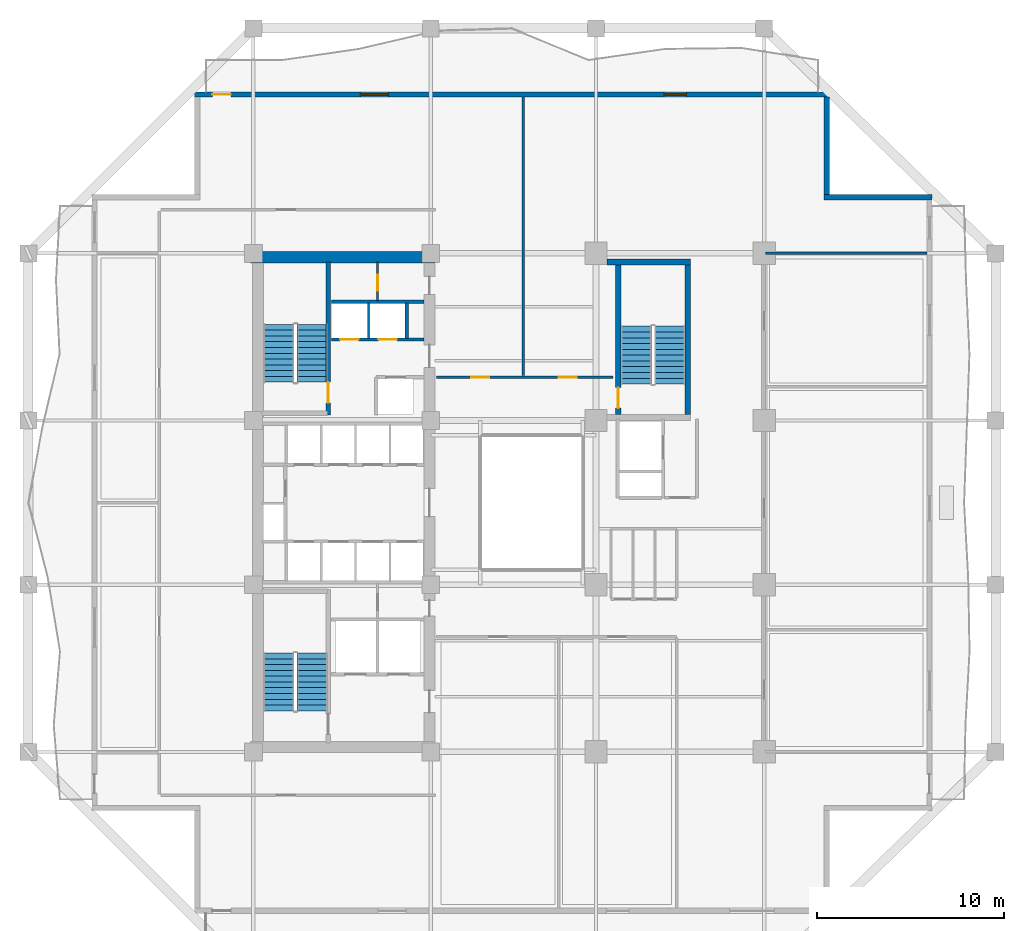
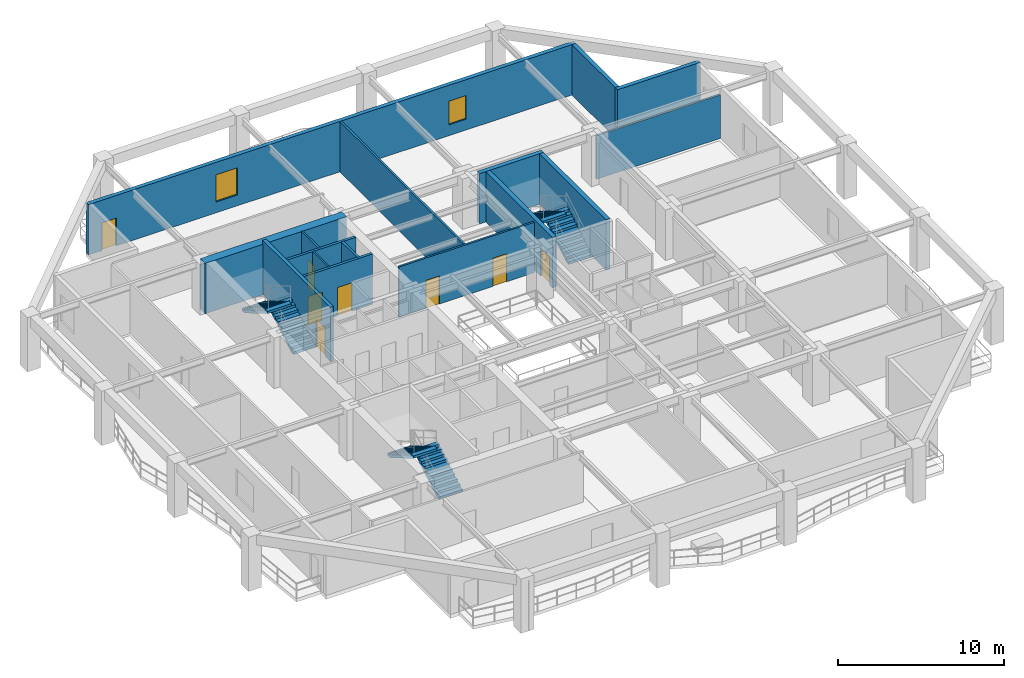
# One storey, part 5 of 12: 16 walls, 8 doors, 6 stair flights, 2 windows, 10 openings, 3 elements without a shape of their own.
"""IFC4 building model written with IfcOpenShell, lengths in metres."""

from ifc_helpers import new_model, si_unit, direction, frame, frame_2d, origin, place, context, subcontext, project, spatial, polyline, rectangle, outline, extrude, material, layer, layer_set, type_object, element, fill, aggregate, save


model = new_model("IFC4")

# Units and contexts
model_context = context("Model", 3, precision=1e-05, world=origin(), true_north=direction((0.0, 1.0)))
body_context = subcontext(model_context, "Body", "Model", "MODEL_VIEW")
ifc_project = project(units=[si_unit("LENGTHUNIT", "METRE"), si_unit("AREAUNIT", "SQUARE_METRE"), si_unit("VOLUMEUNIT", "CUBIC_METRE"), si_unit("PLANEANGLEUNIT", "RADIAN"), si_unit("MASSUNIT", "GRAM", prefix="KILO")], contexts=[model_context])

# Site, building, storey
site_placement = place(None, origin())
site = spatial("IfcSite", under=ifc_project, at=site_placement, CompositionType="ELEMENT")
building_placement = place(site_placement, origin())
building = spatial("IfcBuilding", under=site, at=building_placement, Name="Kundavana Baori Tower", CompositionType="ELEMENT")
storey_placement = place(building_placement, frame((0.0, 0.0, 46.0)))
storey = spatial("IfcBuildingStorey", under=building, at=storey_placement, Name="L10", CompositionType="ELEMENT", Elevation=46.0)

# Wall, opening, door
ifc_material_1 = material(Name="Concrete C50/60", Category="concrete")
ifc_layer_1 = layer(ifc_material_1, 0.39990234375, Name="WL-CORE-400")
ifc_layer_set_1 = layer_set([ifc_layer_1], Name="Concrete C50/60")
wall_type_1 = type_object("IfcWallType", Name="WL-CORE-400", PredefinedType="SHEAR", material=ifc_layer_set_1)
wall_1_placement = place(storey_placement, frame((19.4599609375, 33.300048828125, 0.0), z_axis=(0.0, 0.0, 1.0), x_axis=(0.0, 1.0, 0.0)))
wall_1 = element("IfcWall", 1, at=wall_1_placement, inside=storey, type_object=wall_type_1, Name="WL-L10-ST2-E", PredefinedType="SHEAR", context=body_context, shape_type="SweptSolid", body=[
    extrude(rectangle(XDim=8.179931640625, YDim=0.239990234375, at=frame_2d((4.08984375, 0.0))), origin(), (0.0, 0.0, 1.0), 4.0),
])
opening_1_placement = place(wall_1_placement, frame((0.64990234375, 0.0, 0.0)))
opening_1 = element("IfcOpeningElement", 2, at=opening_1_placement, cuts=wall_1, Name="Opening FD-110", PredefinedType="OPENING", context=body_context, shape_type="SweptSolid", body=[
    extrude(rectangle(XDim=1.10009765625, YDim=2.10009765625, at=frame_2d((0.550048828125, 1.050048828125))), frame((0.0, 0.1298828125, 0.0), z_axis=(0.0, -1.0, 0.0), x_axis=(1.0, 0.0, 0.0)), (0.0, 0.0, 1.0), 0.260009765625),
])
ifc_material_2 = material(Name="Galvanised Steel Fire-Rated Door Leaf", Category="steel")
door_type_1 = type_object("IfcDoorType", Name="DR-FD120-1100", OperationType="NOTDEFINED", PredefinedType="DOOR", material=ifc_material_2)
door_1_placement = place(opening_1_placement, origin())
door_1 = element("IfcDoor", 3, at=door_1_placement, inside=storey, type_object=door_type_1, Name="DR-L10-ST2", OperationType="SINGLE_SWING_RIGHT", OverallHeight=2.10009765625, OverallWidth=1.10009765625, PredefinedType="DOOR", context=body_context, shape_type="SweptSolid", body=[
    extrude(rectangle(XDim=1.10009765625, YDim=2.10009765625, at=frame_2d((0.550048828125, 1.050048828125))), frame((0.0, 0.02490234375, 0.0), z_axis=(0.0, -1.0, 0.0), x_axis=(1.0, 0.0, 0.0)), (0.0, 0.0, 1.0), 0.050048828125),
])
fill(opening_1, door_1)

# Walls
ifc_material_3 = material(Name="Concrete C60/75", Category="concrete")
ifc_layer_2 = layer(ifc_material_3, 0.60009765625, Name="WL-CORE-600")
ifc_layer_set_2 = layer_set([ifc_layer_2], Name="Concrete C60/75")
wall_type_2 = type_object("IfcWallType", Name="WL-CORE-600", PredefinedType="SHEAR", material=ifc_layer_set_2)
wall_2_placement = place(storey_placement, frame((15.300048828125, 41.739990234375, 0.0), z_axis=(0.0, 0.0, 1.0), x_axis=(1.0, 0.0, 0.0)))
element("IfcWall", 4, at=wall_2_placement, inside=storey, type_object=wall_type_2, Name="L10 Offset Core North Shear Wall", PredefinedType="SHEAR", context=body_context, shape_type="SweptSolid", body=[
    extrude(rectangle(XDim=9.8798828125, YDim=0.60009765625, at=frame_2d((4.93994140625, 0.0))), origin(), (0.0, 0.0, 1.0), 3.719970703125),
])
ifc_material_4 = material(Name="Red-Buff Dholpur Sandstone Cladding on Concrete C40/50", Category="masonry")
ifc_layer_3 = layer(ifc_material_4, 0.280029296875, Name="WL-EXT-SAND-280")
ifc_layer_set_3 = layer_set([ifc_layer_3], Name="Red-Buff Dholpur Sandstone Cladding on Concrete C40/50")
wall_type_3 = type_object("IfcWallType", Name="WL-EXT-SAND-280", PredefinedType="STANDARD", material=ifc_layer_set_3)
wall_3_placement = place(storey_placement, frame((51.800048828125, 44.9599609375, 0.0), z_axis=(0.0, 0.0, 1.0), x_axis=(-1.0, 0.0, 0.0)))
element("IfcWall", 5, at=wall_3_placement, inside=storey, type_object=wall_type_3, Name="L10 Exterior Insulated Facade Wall 05", PredefinedType="STANDARD", context=body_context, shape_type="SweptSolid", body=[
    extrude(rectangle(XDim=5.780029296875, YDim=0.280029296875, at=frame_2d((2.89013671875, 0.0))), origin(), (0.0, 0.0, 1.0), 3.719970703125),
])
wall_4_placement = place(storey_placement, frame((46.159912109375, 45.10009765625, 0.0), z_axis=(0.0, 0.0, 1.0), x_axis=(0.0, 1.0, 0.0)))
element("IfcWall", 6, at=wall_4_placement, inside=storey, type_object=wall_type_3, Name="L10 Exterior Insulated Facade Wall 06", PredefinedType="STANDARD", context=body_context, shape_type="SweptSolid", body=[
    extrude(rectangle(XDim=5.219970703125, YDim=0.280029296875, at=frame_2d((2.60986328125, 0.0))), origin(), (0.0, 0.0, 1.0), 3.719970703125),
])

# Wall, openings, door, windows
wall_5_placement = place(storey_placement, frame((46.300048828125, 50.4599609375, 0.0), z_axis=(0.0, 0.0, 1.0), x_axis=(-1.0, 0.0, 0.0)))
wall_5 = element("IfcWall", 7, at=wall_5_placement, inside=storey, type_object=wall_type_3, Name="L10 Exterior Insulated Facade Wall 07", PredefinedType="STANDARD", context=body_context, shape_type="SweptSolid", body=[
    extrude(rectangle(XDim=34.0, YDim=0.280029296875, at=frame_2d((17.0, 0.0))), origin(), (0.0, 0.0, 1.0), 3.719970703125),
])
opening_2_placement = place(wall_5_placement, frame((32.050048828125, 0.0, 0.0)))
opening_2 = element("IfcOpeningElement", 8, at=opening_2_placement, cuts=wall_5, Name="Opening BD-1", PredefinedType="OPENING", context=body_context, shape_type="SweptSolid", body=[
    extrude(rectangle(XDim=1.0, YDim=2.050048828125, at=frame_2d((0.5, 1.02490234375))), frame((0.0, 0.14990234375, 0.0), z_axis=(0.0, -1.0, 0.0), x_axis=(1.0, 0.0, 0.0)), (0.0, 0.0, 1.0), 0.300048828125),
])
opening_3_placement = place(wall_5_placement, frame((23.6201171875, 0.0, 0.800048828125)))
opening_3 = element("IfcOpeningElement", 9, at=opening_3_placement, cuts=wall_5, Name="Opening W-02", PredefinedType="OPENING", context=body_context, shape_type="SweptSolid", body=[
    extrude(rectangle(XDim=1.5, YDim=2.0, at=frame_2d((0.75, 1.0))), frame((0.0, 0.14990234375, 0.0), z_axis=(0.0, -1.0, 0.0), x_axis=(1.0, 0.0, 0.0)), (0.0, 0.0, 1.0), 0.300048828125),
])
opening_4_placement = place(wall_5_placement, frame((7.655029296875, 0.0, 0.800048828125)))
opening_4 = element("IfcOpeningElement", 10, at=opening_4_placement, cuts=wall_5, Name="Opening W-03", PredefinedType="OPENING", context=body_context, shape_type="SweptSolid", body=[
    extrude(rectangle(XDim=1.199951171875, YDim=1.75, at=frame_2d((0.60009765625, 0.875))), frame((0.0, 0.14990234375, 0.0), z_axis=(0.0, -1.0, 0.0), x_axis=(1.0, 0.0, 0.0)), (0.0, 0.0, 1.0), 0.300048828125),
])
ifc_material_5 = material(Name="Architectural Patinated Bronze Metalwork")
door_type_2 = type_object("IfcDoorType", Name="DR-EXT-LOG-1000", OperationType="NOTDEFINED", PredefinedType="DOOR", material=ifc_material_5)
door_2_placement = place(opening_2_placement, frame((1.0, 0.0, 0.0), z_axis=(0.0, 0.0, 1.0), x_axis=(-1.0, 0.0, 0.0)))
door_2 = element("IfcDoor", 11, at=door_2_placement, inside=storey, type_object=door_type_2, Name="L10 Loggia Balcony Access Door N", OperationType="SINGLE_SWING_LEFT", OverallHeight=2.050048828125, OverallWidth=1.0, PredefinedType="DOOR", context=body_context, shape_type="SweptSolid", body=[
    extrude(rectangle(XDim=1.0, YDim=2.050048828125, at=frame_2d((0.5, 1.02490234375))), frame((0.0, 0.02490234375, 0.0), z_axis=(0.0, -1.0, 0.0), x_axis=(1.0, 0.0, 0.0)), (0.0, 0.0, 1.0), 0.050048828125),
])
fill(opening_2, door_2)
ifc_material_6 = material(Name="Double-Glazed Solar-Control Low-E Insulated Glass", Category="glass")
window_type_1 = type_object("IfcWindowType", Name="WIN-LOG-1200x1750", PartitioningType="SINGLE_PANEL", PredefinedType="WINDOW", material=ifc_material_6)
window_1_placement = place(opening_4_placement, origin())
window_1 = element("IfcWindow", 12, at=window_1_placement, inside=storey, type_object=window_type_1, Name="L10 Recessed Loggia Window N-2", OverallHeight=1.75, OverallWidth=1.199951171875, PartitioningType="SINGLE_PANEL", PredefinedType="WINDOW", context=body_context, shape_type="SweptSolid", body=[
    extrude(rectangle(XDim=1.199951171875, YDim=1.75, at=frame_2d((0.60009765625, 0.875))), frame((0.0, 0.030029296875, 0.0), z_axis=(0.0, -1.0, 0.0), x_axis=(1.0, 0.0, 0.0)), (0.0, 0.0, 1.0), 0.06005859375),
])
fill(opening_4, window_1)
ifc_material_7 = material(Name="Double-Glazed Solar-Control Low-E Insulated Glass", Category="glass")
window_type_2 = type_object("IfcWindowType", Name="WIN-LOG-1500x2000", PartitioningType="SINGLE_PANEL", PredefinedType="WINDOW", material=ifc_material_7)
window_2_placement = place(opening_3_placement, origin())
window_2 = element("IfcWindow", 13, at=window_2_placement, inside=storey, type_object=window_type_2, Name="L10 Recessed Loggia Window N-1", OverallHeight=2.0, OverallWidth=1.5, PartitioningType="SINGLE_PANEL", PredefinedType="WINDOW", context=body_context, shape_type="SweptSolid", body=[
    extrude(rectangle(XDim=1.5, YDim=2.0, at=frame_2d((0.75, 1.0))), frame((0.0, 0.030029296875, 0.0), z_axis=(0.0, -1.0, 0.0), x_axis=(1.0, 0.0, 0.0)), (0.0, 0.0, 1.0), 0.06005859375),
])
fill(opening_3, window_2)

# Wall
ifc_material_8 = material(Name="Acoustic Gypsum Plasterboard on Galvanised Steel Studs", Category="steel")
ifc_layer_4 = layer(ifc_material_8, 0.1201171875, Name="WL-PART-120")
ifc_layer_set_4 = layer_set([ifc_layer_4], Name="Acoustic Gypsum Plasterboard on Galvanised Steel Studs")
wall_type_4 = type_object("IfcWallType", Name="WL-PART-120", PredefinedType="PARTITIONING", material=ifc_layer_set_4)
wall_6_placement = place(storey_placement, frame((21.6201171875, 37.39990234375, 0.0), z_axis=(0.0, 0.0, 1.0), x_axis=(0.0, 1.0, 0.0)))
element("IfcWall", 14, at=wall_6_placement, inside=storey, type_object=wall_type_4, Name="WL-L10-HR-DIV1", PredefinedType="PARTITIONING", context=body_context, shape_type="SweptSolid", body=[
    extrude(rectangle(XDim=1.900146484375, YDim=0.1201171875, at=frame_2d((0.9501953125, 0.0))), origin(), (0.0, 0.0, 1.0), 3.719970703125),
])

# Wall, opening, door
wall_7_placement = place(storey_placement, frame((22.10009765625, 39.39990234375, 0.0), z_axis=(0.0, 0.0, 1.0), x_axis=(0.0, 1.0, 0.0)))
wall_7 = element("IfcWall", 15, at=wall_7_placement, inside=storey, type_object=wall_type_4, Name="WL-L10-CSRV-D1", PredefinedType="PARTITIONING", context=body_context, shape_type="SweptSolid", body=[
    extrude(rectangle(XDim=2.080078125, YDim=0.1201171875, at=frame_2d((1.0400390625, 0.0))), origin(), (0.0, 0.0, 1.0), 3.719970703125),
])
opening_5_placement = place(wall_7_placement, frame((0.550048828125, 0.0, 0.0)))
opening_5 = element("IfcOpeningElement", 16, at=opening_5_placement, cuts=wall_7, Name="Opening FD-085", PredefinedType="OPENING", context=body_context, shape_type="SweptSolid", body=[
    extrude(rectangle(XDim=0.85009765625, YDim=2.06005859375, at=frame_2d((0.425048828125, 1.030029296875))), frame((0.0, 0.070068359375, 0.0), z_axis=(0.0, -1.0, 0.0), x_axis=(1.0, 0.0, 0.0)), (0.0, 0.0, 1.0), 0.14013671875),
])
ifc_material_9 = material(Name="Galvanised Steel Fire-Rated Door Leaf", Category="steel")
door_type_3 = type_object("IfcDoorType", Name="DR-FD60-850", OperationType="NOTDEFINED", PredefinedType="DOOR", material=ifc_material_9)
door_3_placement = place(opening_5_placement, origin())
door_3 = element("IfcDoor", 17, at=door_3_placement, inside=storey, type_object=door_type_3, Name="DR-L10-CSRV1", OperationType="SINGLE_SWING_LEFT", OverallHeight=2.06005859375, OverallWidth=0.85009765625, PredefinedType="DOOR", context=body_context, shape_type="SweptSolid", body=[
    extrude(rectangle(XDim=0.85009765625, YDim=2.06005859375, at=frame_2d((0.425048828125, 1.030029296875))), frame((0.0, 0.02490234375, 0.0), z_axis=(0.0, -1.0, 0.0), x_axis=(1.0, 0.0, 0.0)), (0.0, 0.0, 1.0), 0.050048828125),
])
fill(opening_5, door_3)

# Wall, openings, doors
ifc_material_10 = material(Name="Acoustic Gypsum Plasterboard on Galvanised Steel Studs", Category="steel")
ifc_layer_5 = layer(ifc_material_10, 0.135009765625, Name="WL-PART-135")
ifc_layer_set_5 = layer_set([ifc_layer_5], Name="Acoustic Gypsum Plasterboard on Galvanised Steel Studs")
wall_type_5 = type_object("IfcWallType", Name="WL-PART-135", PredefinedType="PARTITIONING", material=ifc_layer_set_5)
wall_8_placement = place(storey_placement, frame((25.25, 35.320068359375, 0.0), z_axis=(0.0, 0.0, 1.0), x_axis=(1.0, 0.0, 0.0)))
wall_8 = element("IfcWall", 18, at=wall_8_placement, inside=storey, type_object=wall_type_5, Name="WL-L10-OFN", PredefinedType="PARTITIONING", context=body_context, shape_type="SweptSolid", body=[
    extrude(rectangle(XDim=9.469970703125, YDim=0.135009765625, at=frame_2d((4.73486328125, 0.0))), origin(), (0.0, 0.0, 1.0), 3.719970703125),
])
opening_6_placement = place(wall_8_placement, frame((1.875, 0.0, 0.0)))
opening_6 = element("IfcOpeningElement", 19, at=opening_6_placement, cuts=wall_8, Name="Opening ID-095", PredefinedType="OPENING", context=body_context, shape_type="SweptSolid", body=[
    extrude(rectangle(XDim=0.949951171875, YDim=2.080078125, at=frame_2d((0.47509765625, 1.0400390625))), frame((0.0, 0.07763671875, 0.0), z_axis=(0.0, -1.0, 0.0), x_axis=(1.0, 0.0, 0.0)), (0.0, 0.0, 1.0), 0.155029296875),
])
opening_7_placement = place(wall_8_placement, frame((6.56494140625, 0.0, 0.0)))
opening_7 = element("IfcOpeningElement", 20, at=opening_7_placement, cuts=wall_8, Name="Opening ID-095", PredefinedType="OPENING", context=body_context, shape_type="SweptSolid", body=[
    extrude(rectangle(XDim=0.949951171875, YDim=2.080078125, at=frame_2d((0.47509765625, 1.0400390625))), frame((0.0, 0.07763671875, 0.0), z_axis=(0.0, -1.0, 0.0), x_axis=(1.0, 0.0, 0.0)), (0.0, 0.0, 1.0), 0.155029296875),
])
ifc_material_11 = material(Name="Engineered Teak Solid-Core Timber Veneer", Category="wood")
door_type_4 = type_object("IfcDoorType", Name="DR-INT-950", OperationType="NOTDEFINED", PredefinedType="DOOR", material=ifc_material_11)
door_4_placement = place(opening_6_placement, origin())
door_4 = element("IfcDoor", 21, at=door_4_placement, inside=storey, type_object=door_type_4, Name="DR-L10-OFN1", OperationType="SINGLE_SWING_LEFT", OverallHeight=2.080078125, OverallWidth=0.949951171875, PredefinedType="DOOR", context=body_context, shape_type="SweptSolid", body=[
    extrude(rectangle(XDim=0.949951171875, YDim=2.080078125, at=frame_2d((0.47509765625, 1.0400390625))), frame((0.0, 0.02490234375, 0.0), z_axis=(0.0, -1.0, 0.0), x_axis=(1.0, 0.0, 0.0)), (0.0, 0.0, 1.0), 0.050048828125),
])
fill(opening_6, door_4)
door_5_placement = place(opening_7_placement, origin())
door_5 = element("IfcDoor", 22, at=door_5_placement, inside=storey, type_object=door_type_4, Name="DR-L10-OFN2", OperationType="SINGLE_SWING_LEFT", OverallHeight=2.080078125, OverallWidth=0.949951171875, PredefinedType="DOOR", context=body_context, shape_type="SweptSolid", body=[
    extrude(rectangle(XDim=0.949951171875, YDim=2.080078125, at=frame_2d((0.47509765625, 1.0400390625))), frame((0.0, 0.02490234375, 0.0), z_axis=(0.0, -1.0, 0.0), x_axis=(1.0, 0.0, 0.0)), (0.0, 0.0, 1.0), 0.050048828125),
])
fill(opening_7, door_5)

# Walls
wall_9_placement = place(storey_placement, frame((42.8798828125, 41.949951171875, 0.0), z_axis=(0.0, 0.0, 1.0), x_axis=(1.0, 0.0, 0.0)))
element("IfcWall", 23, at=wall_9_placement, inside=storey, type_object=wall_type_5, Name="WL-L10-OFEN", PredefinedType="PARTITIONING", context=body_context, shape_type="SweptSolid", body=[
    extrude(rectangle(XDim=8.64013671875, YDim=0.135009765625, at=frame_2d((4.320068359375, 0.0))), origin(), (0.0, 0.0, 1.0), 3.219970703125),
])
wall_10_placement = place(storey_placement, frame((29.89990234375, 35.39990234375, 0.0), z_axis=(0.0, 0.0, 1.0), x_axis=(0.0, 1.0, 0.0)))
element("IfcWall", 24, at=wall_10_placement, inside=storey, type_object=wall_type_5, Name="WL-L10-ND1", PredefinedType="PARTITIONING", context=body_context, shape_type="SweptSolid", body=[
    extrude(rectangle(XDim=14.920166015625, YDim=0.135009765625, at=frame_2d((7.4599609375, 0.0))), origin(), (0.0, 0.0, 1.0), 3.719970703125),
])

# Wall, openings, doors
ifc_material_12 = material(Name="Autoclaved Aerated Concrete Blockwork Masonry", Category="masonry")
ifc_layer_6 = layer(ifc_material_12, 0.179931640625, Name="WL-SHAFT-180")
ifc_layer_set_6 = layer_set([ifc_layer_6], Name="Autoclaved Aerated Concrete Blockwork Masonry")
wall_type_6 = type_object("IfcWallType", Name="WL-SHAFT-180", PredefinedType="SOLIDWALL", material=ifc_layer_set_6)
wall_11_placement = place(storey_placement, frame((19.639892578125, 37.340087890625, 0.0), z_axis=(0.0, 0.0, 1.0), x_axis=(1.0, 0.0, 0.0)))
wall_11 = element("IfcWall", 25, at=wall_11_placement, inside=storey, type_object=wall_type_6, Name="WL-L10-HRLOB-N", PredefinedType="SOLIDWALL", context=body_context, shape_type="SweptSolid", body=[
    extrude(rectangle(XDim=4.940185546875, YDim=0.179931640625, at=frame_2d((2.47021484375, 0.0))), origin(), (0.0, 0.0, 1.0), 3.719970703125),
])
opening_8_placement = place(wall_11_placement, frame((0.449951171875, 0.0, 0.0)))
opening_8 = element("IfcOpeningElement", 26, at=opening_8_placement, cuts=wall_11, Name="Opening LD-100", PredefinedType="OPENING", context=body_context, shape_type="SweptSolid", body=[
    extrude(rectangle(XDim=1.0, YDim=2.10009765625, at=frame_2d((0.5, 1.050048828125))), frame((0.0, 0.10009765625, 0.0), z_axis=(0.0, -1.0, 0.0), x_axis=(1.0, 0.0, 0.0)), (0.0, 0.0, 1.0), 0.199951171875),
])
opening_9_placement = place(wall_11_placement, frame((2.5, 0.0, 0.0)))
opening_9 = element("IfcOpeningElement", 27, at=opening_9_placement, cuts=wall_11, Name="Opening LD-100", PredefinedType="OPENING", context=body_context, shape_type="SweptSolid", body=[
    extrude(rectangle(XDim=1.0, YDim=2.10009765625, at=frame_2d((0.5, 1.050048828125))), frame((0.0, 0.10009765625, 0.0), z_axis=(0.0, -1.0, 0.0), x_axis=(1.0, 0.0, 0.0)), (0.0, 0.0, 1.0), 0.199951171875),
])
ifc_material_13 = material(Name="Galvanised Steel Fire-Rated Door Leaf", Category="steel")
door_type_5 = type_object("IfcDoorType", Name="DR-SLIDE-LD1000", OperationType="NOTDEFINED", PredefinedType="DOOR", material=ifc_material_13)
door_6_placement = place(opening_8_placement, frame((1.0, 0.0, 0.0), z_axis=(0.0, 0.0, 1.0), x_axis=(-1.0, 0.0, 0.0)))
door_6 = element("IfcDoor", 28, at=door_6_placement, inside=storey, type_object=door_type_5, Name="DR-L10-LD-LP09", OperationType="DOUBLE_DOOR_SLIDING", OverallHeight=2.10009765625, OverallWidth=1.0, PredefinedType="DOOR", context=body_context, shape_type="SweptSolid", body=[
    extrude(rectangle(XDim=1.0, YDim=2.10009765625, at=frame_2d((0.5, 1.050048828125))), frame((0.0, 0.02490234375, 0.0), z_axis=(0.0, -1.0, 0.0), x_axis=(1.0, 0.0, 0.0)), (0.0, 0.0, 1.0), 0.050048828125),
])
fill(opening_8, door_6)
door_7_placement = place(opening_9_placement, frame((1.0, 0.0, 0.0), z_axis=(0.0, 0.0, 1.0), x_axis=(-1.0, 0.0, 0.0)))
door_7 = element("IfcDoor", 29, at=door_7_placement, inside=storey, type_object=door_type_5, Name="DR-L10-LD-LP10", OperationType="DOUBLE_DOOR_SLIDING", OverallHeight=2.10009765625, OverallWidth=1.0, PredefinedType="DOOR", context=body_context, shape_type="SweptSolid", body=[
    extrude(rectangle(XDim=1.0, YDim=2.10009765625, at=frame_2d((0.5, 1.050048828125))), frame((0.0, 0.02490234375, 0.0), z_axis=(0.0, -1.0, 0.0), x_axis=(1.0, 0.0, 0.0)), (0.0, 0.0, 1.0), 0.050048828125),
])
fill(opening_9, door_7)

# Walls
wall_12_placement = place(storey_placement, frame((19.639892578125, 39.360107421875, 0.0), z_axis=(0.0, 0.0, 1.0), x_axis=(1.0, 0.0, 0.0)))
element("IfcWall", 30, at=wall_12_placement, inside=storey, type_object=wall_type_6, Name="WL-L10-HRLOB-TOP", PredefinedType="SOLIDWALL", context=body_context, shape_type="SweptSolid", body=[
    extrude(rectangle(XDim=4.940185546875, YDim=0.179931640625, at=frame_2d((2.47021484375, 0.0))), origin(), (0.0, 0.0, 1.0), 3.719970703125),
])
wall_13_placement = place(storey_placement, frame((23.659912109375, 37.39990234375, 0.0), z_axis=(0.0, 0.0, 1.0), x_axis=(0.0, 1.0, 0.0)))
element("IfcWall", 31, at=wall_13_placement, inside=storey, type_object=wall_type_6, Name="WL-L10-HR-DIV2", PredefinedType="SOLIDWALL", context=body_context, shape_type="SweptSolid", body=[
    extrude(rectangle(XDim=1.900146484375, YDim=0.179931640625, at=frame_2d((0.9501953125, 0.0))), origin(), (0.0, 0.0, 1.0), 3.719970703125),
])
ifc_material_14 = material(Name="Concrete C50/60", Category="concrete")
ifc_layer_7 = layer(ifc_material_14, 0.300048828125, Name="WL-ST3-300")
ifc_layer_set_7 = layer_set([ifc_layer_7], Name="Concrete C50/60")
wall_type_7 = type_object("IfcWallType", Name="WL-ST3-300", PredefinedType="SHEAR", material=ifc_layer_set_7)
wall_14_placement = place(storey_placement, frame((34.39990234375, 41.489990234375, 0.0), z_axis=(0.0, 0.0, 1.0), x_axis=(1.0, 0.0, 0.0)))
element("IfcWall", 32, at=wall_14_placement, inside=storey, type_object=wall_type_7, Name="L10 Stair ST3 North Shear Wall", PredefinedType="SHEAR", context=body_context, shape_type="SweptSolid", body=[
    extrude(rectangle(XDim=4.47021484375, YDim=0.300048828125, at=frame_2d((2.235107421875, 0.0))), origin(), (0.0, 0.0, 1.0), 3.719970703125),
])

# Wall, opening, door
wall_15_placement = place(storey_placement, frame((34.97998046875, 33.31005859375, 0.0), z_axis=(0.0, 0.0, 1.0), x_axis=(0.0, 1.0, 0.0)))
wall_15 = element("IfcWall", 33, at=wall_15_placement, inside=storey, type_object=wall_type_7, Name="L10 Stair ST3 West Shear Wall", PredefinedType="SHEAR", context=body_context, shape_type="SweptSolid", body=[
    extrude(rectangle(XDim=8.030029296875, YDim=0.300048828125, at=frame_2d((4.01513671875, 0.0))), origin(), (0.0, 0.0, 1.0), 3.719970703125),
])
opening_10_placement = place(wall_15_placement, frame((0.35009765625, 0.0, 0.0)))
opening_10 = element("IfcOpeningElement", 34, at=opening_10_placement, cuts=wall_15, Name="Opening FD-110", PredefinedType="OPENING", context=body_context, shape_type="SweptSolid", body=[
    extrude(rectangle(XDim=1.10009765625, YDim=2.10009765625, at=frame_2d((0.550048828125, 1.050048828125))), frame((0.0, 0.16015625, 0.0), z_axis=(0.0, -1.0, 0.0), x_axis=(1.0, 0.0, 0.0)), (0.0, 0.0, 1.0), 0.320068359375),
])
door_8_placement = place(opening_10_placement, origin())
door_8 = element("IfcDoor", 35, at=door_8_placement, inside=storey, type_object=door_type_1, Name="DR-L10-ST3-W", OperationType="SINGLE_SWING_LEFT", OverallHeight=2.10009765625, OverallWidth=1.10009765625, PredefinedType="DOOR", context=body_context, shape_type="SweptSolid", body=[
    extrude(rectangle(XDim=1.10009765625, YDim=2.10009765625, at=frame_2d((0.550048828125, 1.050048828125))), frame((0.0, 0.02490234375, 0.0), z_axis=(0.0, -1.0, 0.0), x_axis=(1.0, 0.0, 0.0)), (0.0, 0.0, 1.0), 0.050048828125),
])
fill(opening_10, door_8)

# Wall
wall_16_placement = place(storey_placement, frame((38.719970703125, 33.31005859375, 0.0), z_axis=(0.0, 0.0, 1.0), x_axis=(0.0, 1.0, 0.0)))
element("IfcWall", 36, at=wall_16_placement, inside=storey, type_object=wall_type_7, Name="L10 Stair ST3 East Shear Wall", PredefinedType="SHEAR", context=body_context, shape_type="SweptSolid", body=[
    extrude(rectangle(XDim=8.030029296875, YDim=0.300048828125, at=frame_2d((4.01513671875, 0.0))), origin(), (0.0, 0.0, 1.0), 3.719970703125),
])

# Stair, stair flights
ifc_material_15 = material(Name="Concrete C40/50", Category="concrete")
stair_type = type_object("IfcStairType", Name="STR-DOG-1650", PredefinedType="HALF_TURN_STAIR", material=ifc_material_15)
stair_1_placement = place(storey_placement, origin())
stair_1 = element("IfcStair", 37, at=stair_1_placement, inside=storey, type_object=stair_type, Name="L10 Protected Exit Stair ST1", PredefinedType="HALF_TURN_STAIR")
ifc_material_16 = material(Name="Concrete C40/50", Category="concrete")
stair_flight_type = type_object("IfcStairFlightType", Name="SFL-RC-1650", PredefinedType="STRAIGHT", material=ifc_material_16)
stair_flight_1_placement = place(storey_placement, frame((18.614990234375, 17.449951171875, 0.0), z_axis=(0.0, 0.0, 1.0), x_axis=(0.0, 1.0, 0.0)))
stair_flight_1 = element("IfcStairFlight", 38, at=stair_flight_1_placement, type_object=stair_flight_type, Name="ST1 flight 1", NumberOfRisers=11, NumberOfTreads=10, PredefinedType="STRAIGHT", RiserHeight=0.181818182, TreadLength=0.31, context=body_context, shape_type="SweptSolid", body=[
    extrude(outline(polyline([(0.0, 0.0), (0.0, 0.181884765625), (0.31005859375, 0.181884765625), (0.31005859375, 0.363525390625), (0.6201171875, 0.363525390625), (0.6201171875, 0.54541015625), (0.929931640625, 0.54541015625), (0.929931640625, 0.727294921875), (1.239990234375, 0.727294921875), (1.239990234375, 0.9091796875), (1.550048828125, 0.9091796875), (1.550048828125, 1.0908203125), (1.860107421875, 1.0908203125), (1.860107421875, 1.272705078125), (2.169921875, 1.272705078125), (2.169921875, 1.45458984375), (2.47998046875, 1.45458984375), (2.47998046875, 1.636474609375), (2.7900390625, 1.636474609375), (2.7900390625, 1.818115234375), (3.10009765625, 1.818115234375), (3.10009765625, 2.0), (3.10009765625, 1.644287109375), (0.29638671875, 0.0), (0.0, 0.0)])), frame((0.0, 0.824951171875, 0.0), z_axis=(0.0, -1.0, 0.0), x_axis=(1.0, 0.0, 0.0)), (0.0, 0.0, 1.0), 1.64990234375),
])
stair_flight_2_placement = place(storey_placement, frame((16.804931640625, 20.550048828125, 2.0), z_axis=(0.0, 0.0, 1.0), x_axis=(0.0, -1.0, 0.0)))
stair_flight_2 = element("IfcStairFlight", 39, at=stair_flight_2_placement, type_object=stair_flight_type, Name="ST1 flight 2", NumberOfRisers=11, NumberOfTreads=10, PredefinedType="STRAIGHT", RiserHeight=0.181818182, TreadLength=0.31, context=body_context, shape_type="SweptSolid", body=[
    extrude(outline(polyline([(0.0, 0.0), (0.0, 0.181884765625), (0.31005859375, 0.181884765625), (0.31005859375, 0.363525390625), (0.6201171875, 0.363525390625), (0.6201171875, 0.54541015625), (0.929931640625, 0.54541015625), (0.929931640625, 0.727294921875), (1.239990234375, 0.727294921875), (1.239990234375, 0.9091796875), (1.550048828125, 0.9091796875), (1.550048828125, 1.0908203125), (1.860107421875, 1.0908203125), (1.860107421875, 1.272705078125), (2.169921875, 1.272705078125), (2.169921875, 1.45458984375), (2.47998046875, 1.45458984375), (2.47998046875, 1.636474609375), (2.7900390625, 1.636474609375), (2.7900390625, 1.818115234375), (3.10009765625, 1.818115234375), (3.10009765625, 2.0), (3.10009765625, 1.644287109375), (0.29638671875, 0.0), (0.0, 0.0)])), frame((0.0, 0.824951171875, 0.0), z_axis=(0.0, -1.0, 0.0), x_axis=(1.0, 0.0, 0.0)), (0.0, 0.0, 1.0), 1.64990234375),
])
aggregate(stair_1, [stair_flight_1, stair_flight_2])

stair_2_placement = place(storey_placement, origin())
stair_2 = element("IfcStair", 40, at=stair_2_placement, inside=storey, type_object=stair_type, Name="L10 Protected Exit Stair ST2", PredefinedType="HALF_TURN_STAIR")
stair_flight_3_placement = place(storey_placement, frame((18.614990234375, 35.050048828125, 0.0), z_axis=(0.0, 0.0, 1.0), x_axis=(0.0, 1.0, 0.0)))
stair_flight_3 = element("IfcStairFlight", 41, at=stair_flight_3_placement, type_object=stair_flight_type, Name="ST2 flight 1", NumberOfRisers=11, NumberOfTreads=10, PredefinedType="STRAIGHT", RiserHeight=0.181818182, TreadLength=0.31, context=body_context, shape_type="SweptSolid", body=[
    extrude(outline(polyline([(0.0, 0.0), (0.0, 0.181884765625), (0.31005859375, 0.181884765625), (0.31005859375, 0.363525390625), (0.6201171875, 0.363525390625), (0.6201171875, 0.54541015625), (0.929931640625, 0.54541015625), (0.929931640625, 0.727294921875), (1.239990234375, 0.727294921875), (1.239990234375, 0.9091796875), (1.550048828125, 0.9091796875), (1.550048828125, 1.0908203125), (1.860107421875, 1.0908203125), (1.860107421875, 1.272705078125), (2.169921875, 1.272705078125), (2.169921875, 1.45458984375), (2.47998046875, 1.45458984375), (2.47998046875, 1.636474609375), (2.7900390625, 1.636474609375), (2.7900390625, 1.818115234375), (3.10009765625, 1.818115234375), (3.10009765625, 2.0), (3.10009765625, 1.644287109375), (0.29638671875, 0.0), (0.0, 0.0)])), frame((0.0, 0.824951171875, 0.0), z_axis=(0.0, -1.0, 0.0), x_axis=(1.0, 0.0, 0.0)), (0.0, 0.0, 1.0), 1.64990234375),
])
stair_flight_4_placement = place(storey_placement, frame((16.804931640625, 38.14990234375, 2.0), z_axis=(0.0, 0.0, 1.0), x_axis=(0.0, -1.0, 0.0)))
stair_flight_4 = element("IfcStairFlight", 42, at=stair_flight_4_placement, type_object=stair_flight_type, Name="ST2 flight 2", NumberOfRisers=11, NumberOfTreads=10, PredefinedType="STRAIGHT", RiserHeight=0.181818182, TreadLength=0.31, context=body_context, shape_type="SweptSolid", body=[
    extrude(outline(polyline([(0.0, 0.0), (0.0, 0.181884765625), (0.31005859375, 0.181884765625), (0.31005859375, 0.363525390625), (0.6201171875, 0.363525390625), (0.6201171875, 0.54541015625), (0.929931640625, 0.54541015625), (0.929931640625, 0.727294921875), (1.239990234375, 0.727294921875), (1.239990234375, 0.9091796875), (1.550048828125, 0.9091796875), (1.550048828125, 1.0908203125), (1.860107421875, 1.0908203125), (1.860107421875, 1.272705078125), (2.169921875, 1.272705078125), (2.169921875, 1.45458984375), (2.47998046875, 1.45458984375), (2.47998046875, 1.636474609375), (2.7900390625, 1.636474609375), (2.7900390625, 1.818115234375), (3.10009765625, 1.818115234375), (3.10009765625, 2.0), (3.10009765625, 1.644287109375), (0.29638671875, 0.0), (0.0, 0.0)])), frame((0.0, 0.824951171875, 0.0), z_axis=(0.0, -1.0, 0.0), x_axis=(1.0, 0.0, 0.0)), (0.0, 0.0, 1.0), 1.64990234375),
])
aggregate(stair_2, [stair_flight_3, stair_flight_4])

stair_3_placement = place(storey_placement, origin())
stair_3 = element("IfcStair", 43, at=stair_3_placement, inside=storey, type_object=stair_type, Name="L10 Protected Exit Stair ST3", PredefinedType="HALF_TURN_STAIR")
stair_flight_5_placement = place(storey_placement, frame((37.7548828125, 34.949951171875, 0.0), z_axis=(0.0, 0.0, 1.0), x_axis=(0.0, 1.0, 0.0)))
stair_flight_5 = element("IfcStairFlight", 44, at=stair_flight_5_placement, type_object=stair_flight_type, Name="ST3 flight 1", NumberOfRisers=11, NumberOfTreads=10, PredefinedType="STRAIGHT", RiserHeight=0.181818182, TreadLength=0.31, context=body_context, shape_type="SweptSolid", body=[
    extrude(outline(polyline([(0.0, 0.0), (0.0, 0.181884765625), (0.31005859375, 0.181884765625), (0.31005859375, 0.363525390625), (0.6201171875, 0.363525390625), (0.6201171875, 0.54541015625), (0.929931640625, 0.54541015625), (0.929931640625, 0.727294921875), (1.239990234375, 0.727294921875), (1.239990234375, 0.9091796875), (1.550048828125, 0.9091796875), (1.550048828125, 1.0908203125), (1.860107421875, 1.0908203125), (1.860107421875, 1.272705078125), (2.169921875, 1.272705078125), (2.169921875, 1.45458984375), (2.47998046875, 1.45458984375), (2.47998046875, 1.636474609375), (2.7900390625, 1.636474609375), (2.7900390625, 1.818115234375), (3.10009765625, 1.818115234375), (3.10009765625, 2.0), (3.10009765625, 1.644287109375), (0.29638671875, 0.0), (0.0, 0.0)])), frame((0.0, 0.824951171875, 0.0), z_axis=(0.0, -1.0, 0.0), x_axis=(1.0, 0.0, 0.0)), (0.0, 0.0, 1.0), 1.64990234375),
])
stair_flight_6_placement = place(storey_placement, frame((35.945068359375, 38.050048828125, 2.0), z_axis=(0.0, 0.0, 1.0), x_axis=(0.0, -1.0, 0.0)))
stair_flight_6 = element("IfcStairFlight", 45, at=stair_flight_6_placement, type_object=stair_flight_type, Name="ST3 flight 2", NumberOfRisers=11, NumberOfTreads=10, PredefinedType="STRAIGHT", RiserHeight=0.181818182, TreadLength=0.31, context=body_context, shape_type="SweptSolid", body=[
    extrude(outline(polyline([(0.0, 0.0), (0.0, 0.181884765625), (0.31005859375, 0.181884765625), (0.31005859375, 0.363525390625), (0.6201171875, 0.363525390625), (0.6201171875, 0.54541015625), (0.929931640625, 0.54541015625), (0.929931640625, 0.727294921875), (1.239990234375, 0.727294921875), (1.239990234375, 0.9091796875), (1.550048828125, 0.9091796875), (1.550048828125, 1.0908203125), (1.860107421875, 1.0908203125), (1.860107421875, 1.272705078125), (2.169921875, 1.272705078125), (2.169921875, 1.45458984375), (2.47998046875, 1.45458984375), (2.47998046875, 1.636474609375), (2.7900390625, 1.636474609375), (2.7900390625, 1.818115234375), (3.10009765625, 1.818115234375), (3.10009765625, 2.0), (3.10009765625, 1.644287109375), (0.29638671875, 0.0), (0.0, 0.0)])), frame((0.0, 0.824951171875, 0.0), z_axis=(0.0, -1.0, 0.0), x_axis=(1.0, 0.0, 0.0)), (0.0, 0.0, 1.0), 1.64990234375),
])
aggregate(stair_3, [stair_flight_5, stair_flight_6])

save(model, "model.ifc")
